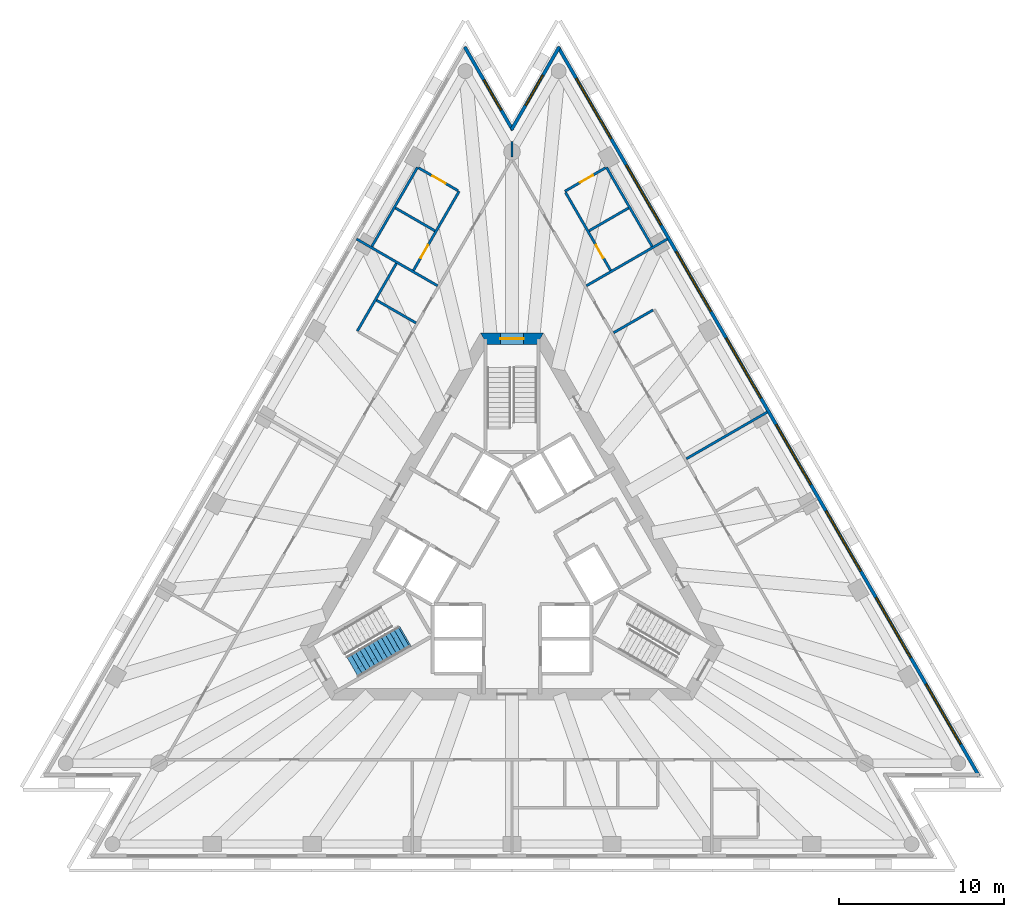
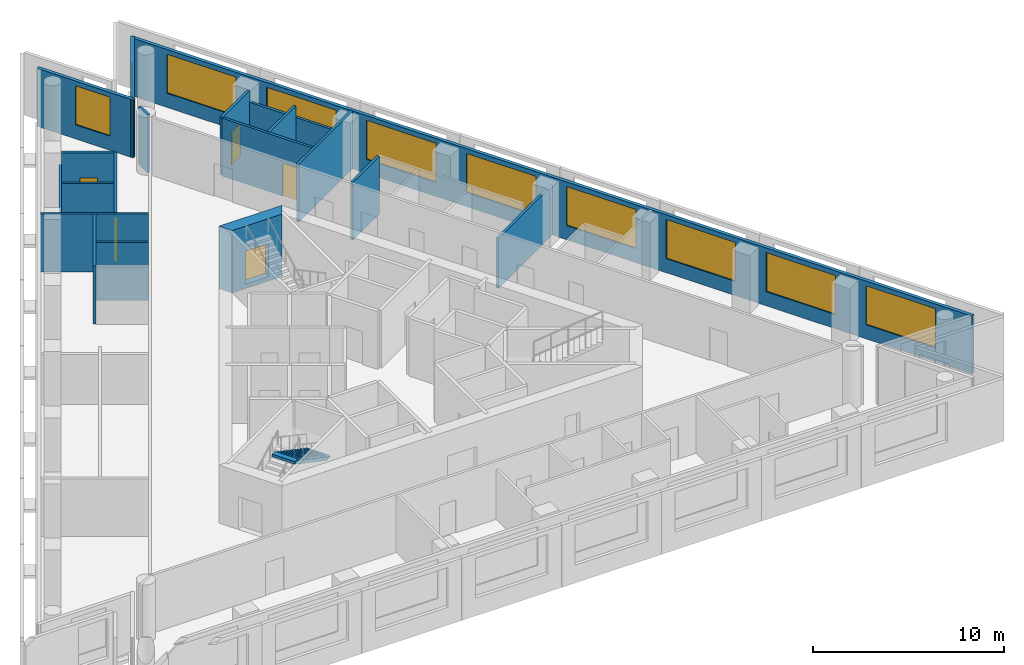
# One storey, part 6 of 9: 19 walls, 10 windows, 5 doors, 1 stair flight, 15 openings, 1 element without a shape of its own.
"""IFC4 building model written with IfcOpenShell, lengths in metres."""

from ifc_helpers import new_model, si_unit, direction, frame, frame_2d, origin, place, context, subcontext, project, spatial, polyline, rectangle, outline, extrude, material, layer, layer_set, layer_usage, type_object, element, fill, aggregate, save


model = new_model("IFC4")

# Units and contexts
model_context = context("Model", 3, precision=1e-05, world=origin(), true_north=direction((0.0, 1.0)))
body_context = subcontext(model_context, "Body", "Model", "MODEL_VIEW")
ifc_project = project(units=[si_unit("LENGTHUNIT", "METRE"), si_unit("AREAUNIT", "SQUARE_METRE"), si_unit("VOLUMEUNIT", "CUBIC_METRE"), si_unit("PLANEANGLEUNIT", "RADIAN"), si_unit("MASSUNIT", "GRAM", prefix="KILO")], contexts=[model_context])

# Site, building, storey
site_placement = place(None, origin())
site = spatial("IfcSite", under=ifc_project, at=site_placement, CompositionType="ELEMENT")
building_placement = place(site_placement, origin())
building = spatial("IfcBuilding", under=site, at=building_placement, Name="Triada Interchange Tower", CompositionType="ELEMENT")
storey_placement = place(building_placement, frame((0.0, 0.0, 223.300048828125)))
storey = spatial("IfcBuildingStorey", under=building, at=storey_placement, Name="L52", CompositionType="ELEMENT", Elevation=223.300048828125)

# Wall, opening, door
ifc_material_1 = material(Name="Concrete C50/60", Category="concrete")
ifc_layer_1 = layer(ifc_material_1, 0.699951171875)
ifc_layer_set_1 = layer_set([ifc_layer_1], Name="Core wall C 700")
wall_type_1 = type_object("IfcWallType", Name="Core wall C 700", PredefinedType="SHEAR", material=ifc_layer_set_1)
wall_1_placement = place(storey_placement, frame((1.702880859375, 13.35009765625, -0.300048828125), z_axis=(0.0, 0.0, 1.0), x_axis=(-1.0, 0.0, 0.0)))
wall_1 = element("IfcWall", 1, at=wall_1_placement, inside=storey, type_object=wall_type_1, Name="Core wall WC01 L52", PredefinedType="SHEAR", context=body_context, shape_type="SweptSolid", body=[
    extrude(outline(polyline([(-0.201904296875, -0.35009765625), (1.703125, -0.35009765625), (3.60791015625, -0.35009765625), (3.2041015625, 0.35009765625), (1.703125, 0.35009765625), (0.201904296875, 0.35009765625), (-0.201904296875, -0.35009765625)])), origin(), (0.0, 0.0, 1.0), 4.0),
])
opening_1_placement = place(wall_1_placement, frame((1.0029296875, 0.0, 0.300048828125)))
opening_1 = element("IfcOpeningElement", 2, at=opening_1_placement, cuts=wall_1, Name="Opening D50-39", PredefinedType="OPENING", context=body_context, shape_type="SweptSolid", body=[
    extrude(rectangle(XDim=1.39990234375, YDim=2.10009765625, at=frame_2d((0.699951171875, 1.050048828125))), frame((0.0, 0.360107421875, 0.0), z_axis=(0.0, -1.0, 0.0), x_axis=(1.0, 0.0, 0.0)), (0.0, 0.0, 1.0), 0.72021484375),
])
ifc_material_2 = material(Name="Steel S235 door leaf", Category="steel")
door_type_1 = type_object("IfcDoorType", Name="STAIR DOOR 1400 EI2 90-C5S200", OperationType="DOUBLE_DOOR_SINGLE_SWING", PredefinedType="DOOR", material=ifc_material_2)
door_1_placement = place(opening_1_placement, origin())
door_1 = element("IfcDoor", 3, at=door_1_placement, inside=storey, type_object=door_type_1, Name="Door D50-39 L52", OperationType="DOUBLE_DOOR_SINGLE_SWING", OverallHeight=2.10009765625, OverallWidth=1.39990234375, PredefinedType="DOOR", context=body_context, shape_type="SweptSolid", body=[
    extrude(rectangle(XDim=1.39990234375, YDim=2.10009765625, at=frame_2d((0.699951171875, 1.050048828125))), frame((0.0, 0.02490234375, 0.0), z_axis=(0.0, -1.0, 0.0), x_axis=(1.0, 0.0, 0.0)), (0.0, 0.0, 1.0), 0.050048828125),
])
fill(opening_1, door_1)

# Wall, openings, windows
ifc_material_3 = material(Name="Cement board")
ifc_layer_2 = layer(ifc_material_3, 0.02001953125, Name="Cement board cladding")
ifc_material_4 = material(Name="Sheathing board")
ifc_layer_3 = layer(ifc_material_4, 0.014892578125, Name="Sheathing board")
ifc_material_5 = material(Name="Mineral wool")
ifc_layer_4 = layer(ifc_material_5, 0.14990234375, Name="Mineral wool between steel studs")
ifc_material_6 = material(Name="Gypsum board")
ifc_layer_5 = layer(ifc_material_6, 0.014892578125, Name="Plasterboard lining")
ifc_layer_set_2 = layer_set([ifc_layer_2, ifc_layer_3, ifc_layer_4, ifc_layer_5], Name="External wall 200")
ifc_layer_usage = layer_usage(ifc_layer_set_2, "AXIS2", "POSITIVE", -0.10009765625)
wall_type_2 = type_object("IfcWallType", Name="External wall 200", PredefinedType="ELEMENTEDWALL", material=ifc_layer_set_2)
wall_2_placement = place(storey_placement, frame((28.242919921875, -13.097900390625, 0.0), z_axis=(0.0, 0.0, 1.0), x_axis=(-0.500001688958, 0.866024428662, 0.0)))
wall_2 = element("IfcWall", 4, at=wall_2_placement, inside=storey, type_object=wall_type_2, material=ifc_layer_usage, Name="External wall L52 NE", PredefinedType="ELEMENTEDWALL", context=body_context, shape_type="SweptSolid", body=[
    extrude(rectangle(XDim=50.909423828125, YDim=0.199951171875, at=frame_2d((25.45458984375, 0.0))), origin(), (0.0, 0.0, 1.0), 3.699951171875),
])
opening_2_placement = place(wall_2_placement, frame((2.222900390625, 0.0, 0.89990234375)))
opening_2 = element("IfcOpeningElement", 5, at=opening_2_placement, cuts=wall_2, Name="Opening WC21", PredefinedType="OPENING", context=body_context, shape_type="SweptSolid", body=[
    extrude(rectangle(XDim=4.199951171875, YDim=2.5, at=frame_2d((2.10009765625, 1.25))), frame((0.0, 0.10986328125, 0.0), z_axis=(0.0, -1.0, 0.0), x_axis=(1.0, 0.0, 0.0)), (0.0, 0.0, 1.0), 0.219970703125),
])
opening_3_placement = place(wall_2_placement, frame((8.262939453125, 0.0, 0.89990234375)))
opening_3 = element("IfcOpeningElement", 6, at=opening_3_placement, cuts=wall_2, Name="Opening WC22", PredefinedType="OPENING", context=body_context, shape_type="SweptSolid", body=[
    extrude(rectangle(XDim=4.199951171875, YDim=2.5, at=frame_2d((2.10009765625, 1.25))), frame((0.0, 0.10986328125, 0.0), z_axis=(0.0, -1.0, 0.0), x_axis=(1.0, 0.0, 0.0)), (0.0, 0.0, 1.0), 0.219970703125),
])
opening_4_placement = place(wall_2_placement, frame((14.303955078125, 0.0, 0.89990234375)))
opening_4 = element("IfcOpeningElement", 7, at=opening_4_placement, cuts=wall_2, Name="Opening WC23", PredefinedType="OPENING", context=body_context, shape_type="SweptSolid", body=[
    extrude(rectangle(XDim=4.199951171875, YDim=2.5, at=frame_2d((2.10009765625, 1.25))), frame((0.0, 0.10986328125, 0.0), z_axis=(0.0, -1.0, 0.0), x_axis=(1.0, 0.0, 0.0)), (0.0, 0.0, 1.0), 0.219970703125),
])
opening_5_placement = place(wall_2_placement, frame((20.344970703125, 0.0, 0.89990234375)))
opening_5 = element("IfcOpeningElement", 8, at=opening_5_placement, cuts=wall_2, Name="Opening WC24", PredefinedType="OPENING", context=body_context, shape_type="SweptSolid", body=[
    extrude(rectangle(XDim=4.199951171875, YDim=2.5, at=frame_2d((2.10009765625, 1.25))), frame((0.0, 0.10986328125, 0.0), z_axis=(0.0, -1.0, 0.0), x_axis=(1.0, 0.0, 0.0)), (0.0, 0.0, 1.0), 0.219970703125),
])
opening_6_placement = place(wall_2_placement, frame((26.385009765625, 0.0, 0.89990234375)))
opening_6 = element("IfcOpeningElement", 9, at=opening_6_placement, cuts=wall_2, Name="Opening WC25", PredefinedType="OPENING", context=body_context, shape_type="SweptSolid", body=[
    extrude(rectangle(XDim=4.199951171875, YDim=2.5, at=frame_2d((2.10009765625, 1.25))), frame((0.0, 0.10986328125, 0.0), z_axis=(0.0, -1.0, 0.0), x_axis=(1.0, 0.0, 0.0)), (0.0, 0.0, 1.0), 0.219970703125),
])
opening_7_placement = place(wall_2_placement, frame((32.426025390625, 0.0, 0.89990234375)))
opening_7 = element("IfcOpeningElement", 10, at=opening_7_placement, cuts=wall_2, Name="Opening WC26", PredefinedType="OPENING", context=body_context, shape_type="SweptSolid", body=[
    extrude(rectangle(XDim=4.199951171875, YDim=2.5, at=frame_2d((2.10009765625, 1.25))), frame((0.0, 0.10986328125, 0.0), z_axis=(0.0, -1.0, 0.0), x_axis=(1.0, 0.0, 0.0)), (0.0, 0.0, 1.0), 0.219970703125),
])
opening_8_placement = place(wall_2_placement, frame((38.466064453125, 0.0, 0.89990234375)))
opening_8 = element("IfcOpeningElement", 11, at=opening_8_placement, cuts=wall_2, Name="Opening WC27", PredefinedType="OPENING", context=body_context, shape_type="SweptSolid", body=[
    extrude(rectangle(XDim=4.199951171875, YDim=2.5, at=frame_2d((2.10009765625, 1.25))), frame((0.0, 0.10986328125, 0.0), z_axis=(0.0, -1.0, 0.0), x_axis=(1.0, 0.0, 0.0)), (0.0, 0.0, 1.0), 0.219970703125),
])
opening_9_placement = place(wall_2_placement, frame((44.507080078125, 0.0, 0.89990234375)))
opening_9 = element("IfcOpeningElement", 12, at=opening_9_placement, cuts=wall_2, Name="Opening WC28", PredefinedType="OPENING", context=body_context, shape_type="SweptSolid", body=[
    extrude(rectangle(XDim=4.199951171875, YDim=2.5, at=frame_2d((2.10009765625, 1.25))), frame((0.0, 0.10986328125, 0.0), z_axis=(0.0, -1.0, 0.0), x_axis=(1.0, 0.0, 0.0)), (0.0, 0.0, 1.0), 0.219970703125),
])
ifc_material_7 = material(Name="Double glazed aluminium window", Category="aluminium")
window_type_1 = type_object("IfcWindowType", Name="Ribbon window C face", PartitioningType="SINGLE_PANEL", PredefinedType="WINDOW", material=ifc_material_7)
window_1_placement = place(opening_2_placement, origin())
window_1 = element("IfcWindow", 13, at=window_1_placement, inside=storey, type_object=window_type_1, Name="Window L52 NE 1", OverallHeight=2.5, OverallWidth=4.199951171875, PartitioningType="SINGLE_PANEL", PredefinedType="WINDOW", context=body_context, shape_type="SweptSolid", body=[
    extrude(rectangle(XDim=4.199951171875, YDim=2.5, at=frame_2d((2.10009765625, 1.25))), frame((0.0, 0.030029296875, 0.0), z_axis=(0.0, -1.0, 0.0), x_axis=(1.0, 0.0, 0.0)), (0.0, 0.0, 1.0), 0.06005859375),
])
fill(opening_2, window_1)
window_2_placement = place(opening_3_placement, origin())
window_2 = element("IfcWindow", 14, at=window_2_placement, inside=storey, type_object=window_type_1, Name="Window L52 NE 2", OverallHeight=2.5, OverallWidth=4.199951171875, PartitioningType="SINGLE_PANEL", PredefinedType="WINDOW", context=body_context, shape_type="SweptSolid", body=[
    extrude(rectangle(XDim=4.199951171875, YDim=2.5, at=frame_2d((2.10009765625, 1.25))), frame((0.0, 0.030029296875, 0.0), z_axis=(0.0, -1.0, 0.0), x_axis=(1.0, 0.0, 0.0)), (0.0, 0.0, 1.0), 0.06005859375),
])
fill(opening_3, window_2)
window_3_placement = place(opening_4_placement, origin())
window_3 = element("IfcWindow", 15, at=window_3_placement, inside=storey, type_object=window_type_1, Name="Window L52 NE 3", OverallHeight=2.5, OverallWidth=4.199951171875, PartitioningType="SINGLE_PANEL", PredefinedType="WINDOW", context=body_context, shape_type="SweptSolid", body=[
    extrude(rectangle(XDim=4.199951171875, YDim=2.5, at=frame_2d((2.10009765625, 1.25))), frame((0.0, 0.030029296875, 0.0), z_axis=(0.0, -1.0, 0.0), x_axis=(1.0, 0.0, 0.0)), (0.0, 0.0, 1.0), 0.06005859375),
])
fill(opening_4, window_3)
window_4_placement = place(opening_5_placement, origin())
window_4 = element("IfcWindow", 16, at=window_4_placement, inside=storey, type_object=window_type_1, Name="Window L52 NE 4", OverallHeight=2.5, OverallWidth=4.199951171875, PartitioningType="SINGLE_PANEL", PredefinedType="WINDOW", context=body_context, shape_type="SweptSolid", body=[
    extrude(rectangle(XDim=4.199951171875, YDim=2.5, at=frame_2d((2.10009765625, 1.25))), frame((0.0, 0.030029296875, 0.0), z_axis=(0.0, -1.0, 0.0), x_axis=(1.0, 0.0, 0.0)), (0.0, 0.0, 1.0), 0.06005859375),
])
fill(opening_5, window_4)
window_5_placement = place(opening_6_placement, origin())
window_5 = element("IfcWindow", 17, at=window_5_placement, inside=storey, type_object=window_type_1, Name="Window L52 NE 5", OverallHeight=2.5, OverallWidth=4.199951171875, PartitioningType="SINGLE_PANEL", PredefinedType="WINDOW", context=body_context, shape_type="SweptSolid", body=[
    extrude(rectangle(XDim=4.199951171875, YDim=2.5, at=frame_2d((2.10009765625, 1.25))), frame((0.0, 0.030029296875, 0.0), z_axis=(0.0, -1.0, 0.0), x_axis=(1.0, 0.0, 0.0)), (0.0, 0.0, 1.0), 0.06005859375),
])
fill(opening_6, window_5)
window_6_placement = place(opening_7_placement, origin())
window_6 = element("IfcWindow", 18, at=window_6_placement, inside=storey, type_object=window_type_1, Name="Window L52 NE 6", OverallHeight=2.5, OverallWidth=4.199951171875, PartitioningType="SINGLE_PANEL", PredefinedType="WINDOW", context=body_context, shape_type="SweptSolid", body=[
    extrude(rectangle(XDim=4.199951171875, YDim=2.5, at=frame_2d((2.10009765625, 1.25))), frame((0.0, 0.030029296875, 0.0), z_axis=(0.0, -1.0, 0.0), x_axis=(1.0, 0.0, 0.0)), (0.0, 0.0, 1.0), 0.06005859375),
])
fill(opening_7, window_6)
window_7_placement = place(opening_8_placement, origin())
window_7 = element("IfcWindow", 19, at=window_7_placement, inside=storey, type_object=window_type_1, Name="Window L52 NE 7", OverallHeight=2.5, OverallWidth=4.199951171875, PartitioningType="SINGLE_PANEL", PredefinedType="WINDOW", context=body_context, shape_type="SweptSolid", body=[
    extrude(rectangle(XDim=4.199951171875, YDim=2.5, at=frame_2d((2.10009765625, 1.25))), frame((0.0, 0.030029296875, 0.0), z_axis=(0.0, -1.0, 0.0), x_axis=(1.0, 0.0, 0.0)), (0.0, 0.0, 1.0), 0.06005859375),
])
fill(opening_8, window_7)
window_8_placement = place(opening_9_placement, origin())
window_8 = element("IfcWindow", 20, at=window_8_placement, inside=storey, type_object=window_type_1, Name="Window L52 NE 8", OverallHeight=2.5, OverallWidth=4.199951171875, PartitioningType="SINGLE_PANEL", PredefinedType="WINDOW", context=body_context, shape_type="SweptSolid", body=[
    extrude(rectangle(XDim=4.199951171875, YDim=2.5, at=frame_2d((2.10009765625, 1.25))), frame((0.0, 0.030029296875, 0.0), z_axis=(0.0, -1.0, 0.0), x_axis=(1.0, 0.0, 0.0)), (0.0, 0.0, 1.0), 0.06005859375),
])
fill(opening_9, window_8)

# Wall, opening, window
wall_3_placement = place(storey_placement, frame((2.867919921875, 31.008056640625, 0.0), z_axis=(0.0, 0.0, 1.0), x_axis=(-0.499983322773, -0.866035032172, 0.0)))
wall_3 = element("IfcWall", 21, at=wall_3_placement, inside=storey, type_object=wall_type_2, material=ifc_layer_usage, Name="External wall L52 N-1", PredefinedType="ELEMENTEDWALL", context=body_context, shape_type="SweptSolid", body=[
    extrude(rectangle(XDim=5.805908203125, YDim=0.199951171875, at=frame_2d((2.90283203125, 0.0))), origin(), (0.0, 0.0, 1.0), 3.699951171875),
])
opening_10_placement = place(wall_3_placement, frame((1.989990234375, 0.0, 0.89990234375)))
opening_10 = element("IfcOpeningElement", 22, at=opening_10_placement, cuts=wall_3, Name="Opening WC29", PredefinedType="OPENING", context=body_context, shape_type="SweptSolid", body=[
    extrude(rectangle(XDim=2.10009765625, YDim=2.5, at=frame_2d((1.050048828125, 1.25))), frame((0.0, 0.10986328125, 0.0), z_axis=(0.0, -1.0, 0.0), x_axis=(1.0, 0.0, 0.0)), (0.0, 0.0, 1.0), 0.219970703125),
])
window_type_2 = type_object("IfcWindowType", Name="Ribbon window C pocket", PartitioningType="SINGLE_PANEL", PredefinedType="WINDOW", material=ifc_material_7)
window_9_placement = place(opening_10_placement, origin())
window_9 = element("IfcWindow", 23, at=window_9_placement, inside=storey, type_object=window_type_2, Name="Window L52 N-1 1", OverallHeight=2.5, OverallWidth=2.10009765625, PartitioningType="SINGLE_PANEL", PredefinedType="WINDOW", context=body_context, shape_type="SweptSolid", body=[
    extrude(rectangle(XDim=2.10009765625, YDim=2.5, at=frame_2d((1.050048828125, 1.25))), frame((0.0, 0.030029296875, 0.0), z_axis=(0.0, -1.0, 0.0), x_axis=(1.0, 0.0, 0.0)), (0.0, 0.0, 1.0), 0.06005859375),
])
fill(opening_10, window_9)

wall_4_placement = place(storey_placement, frame((0.044921875, 25.962890625, 0.0), z_axis=(0.0, 0.0, 1.0), x_axis=(-0.499983322773, 0.866035032172, 0.0)))
wall_4 = element("IfcWall", 24, at=wall_4_placement, inside=storey, type_object=wall_type_2, material=ifc_layer_usage, Name="External wall L52 N-2", PredefinedType="ELEMENTEDWALL", context=body_context, shape_type="SweptSolid", body=[
    extrude(rectangle(XDim=5.805908203125, YDim=0.199951171875, at=frame_2d((2.90283203125, 0.0))), origin(), (0.0, 0.0, 1.0), 3.699951171875),
])
opening_11_placement = place(wall_4_placement, frame((1.389892578125, 0.0, 0.89990234375)))
opening_11 = element("IfcOpeningElement", 25, at=opening_11_placement, cuts=wall_4, Name="Opening WC30", PredefinedType="OPENING", context=body_context, shape_type="SweptSolid", body=[
    extrude(rectangle(XDim=2.10009765625, YDim=2.5, at=frame_2d((1.050048828125, 1.25))), frame((0.0, 0.10986328125, 0.0), z_axis=(0.0, -1.0, 0.0), x_axis=(1.0, 0.0, 0.0)), (0.0, 0.0, 1.0), 0.219970703125),
])
window_10_placement = place(opening_11_placement, origin())
window_10 = element("IfcWindow", 26, at=window_10_placement, inside=storey, type_object=window_type_2, Name="Window L52 N-2 1", OverallHeight=2.5, OverallWidth=2.10009765625, PartitioningType="SINGLE_PANEL", PredefinedType="WINDOW", context=body_context, shape_type="SweptSolid", body=[
    extrude(rectangle(XDim=2.10009765625, YDim=2.5, at=frame_2d((1.050048828125, 1.25))), frame((0.0, 0.030029296875, 0.0), z_axis=(0.0, -1.0, 0.0), x_axis=(1.0, 0.0, 0.0)), (0.0, 0.0, 1.0), 0.06005859375),
])
fill(opening_11, window_10)

# Walls
ifc_material_8 = material(Name="Gypsum board partition")
ifc_layer_6 = layer(ifc_material_8, 0.14990234375)
ifc_layer_set_3 = layer_set([ifc_layer_6], Name="PARTITION 150 EI 180")
wall_type_3 = type_object("IfcWallType", Name="PARTITION 150 EI 180", PredefinedType="PARTITIONING", material=ifc_layer_set_3)
wall_5_placement = place(storey_placement, frame((10.5439453125, 6.0869140625, 0.0), z_axis=(0.0, 0.0, 1.0), x_axis=(0.865959810878, 0.500113593041, 0.0)))
element("IfcWall", 27, at=wall_5_placement, inside=storey, type_object=wall_type_3, Name="Wall L50 2", PredefinedType="PARTITIONING", context=body_context, shape_type="SweptSolid", body=[
    extrude(rectangle(XDim=5.655029296875, YDim=0.14990234375, at=frame_2d((2.82763671875, 0.0))), origin(), (0.0, 0.0, 1.0), 3.199951171875),
])
wall_6_placement = place(storey_placement, frame((-9.40087890625, 19.3779296875, 0.0), z_axis=(0.0, 0.0, 1.0), x_axis=(0.866021685936, -0.500006439447, 0.0)))
element("IfcWall", 28, at=wall_6_placement, inside=storey, type_object=wall_type_3, Name="Wall L50 8", PredefinedType="PARTITIONING", context=body_context, shape_type="SweptSolid", body=[
    extrude(rectangle(XDim=5.65576171875, YDim=0.14990234375, at=frame_2d((2.827880859375, 0.0))), origin(), (0.0, 0.0, 1.0), 3.699951171875),
])
wall_7_placement = place(storey_placement, frame((-9.35400390625, 13.80810546875, 0.0), z_axis=(0.0, 0.0, 1.0), x_axis=(0.499946109042, 0.866056515508, 0.0)))
element("IfcWall", 29, at=wall_7_placement, inside=storey, type_object=wall_type_3, Name="Wall L50 9", PredefinedType="PARTITIONING", context=body_context, shape_type="SweptSolid", body=[
    extrude(rectangle(XDim=4.724609375, YDim=0.14990234375, at=frame_2d((2.3623046875, 0.0))), origin(), (0.0, 0.0, 1.0), 3.699951171875),
])
wall_8_placement = place(storey_placement, frame((-8.18896484375, 15.676025390625, 0.0), z_axis=(0.0, 0.0, 1.0), x_axis=(0.866119184418, -0.499837531988, 0.0)))
element("IfcWall", 30, at=wall_8_placement, inside=storey, type_object=wall_type_3, Name="Wall L50 11", PredefinedType="PARTITIONING", context=body_context, shape_type="SweptSolid", body=[
    extrude(rectangle(XDim=2.7548828125, YDim=0.14990234375, at=frame_2d((1.37744140625, 0.0))), origin(), (0.0, 0.0, 1.0), 3.699951171875),
])
wall_9_placement = place(storey_placement, frame((0.0, 24.35009765625, 0.0), z_axis=(0.0, 0.0, 1.0), x_axis=(0.0, 1.0, 0.0)))
element("IfcWall", 31, at=wall_9_placement, inside=storey, type_object=wall_type_3, Name="Wall L50 14", PredefinedType="PARTITIONING", context=body_context, shape_type="SweptSolid", body=[
    extrude(rectangle(XDim=0.910888671875, YDim=0.14990234375, at=frame_2d((0.45556640625, 0.0))), origin(), (0.0, 0.0, 1.0), 3.699951171875),
])
wall_10_placement = place(storey_placement, frame((4.5029296875, 16.550048828125, 0.0), z_axis=(0.0, 0.0, 1.0), x_axis=(0.866021685936, 0.500006439447, 0.0)))
element("IfcWall", 32, at=wall_10_placement, inside=storey, type_object=wall_type_3, Name="Wall L50 18", PredefinedType="PARTITIONING", context=body_context, shape_type="SweptSolid", body=[
    extrude(rectangle(XDim=5.65576171875, YDim=0.14990234375, at=frame_2d((2.827880859375, 0.0))), origin(), (0.0, 0.0, 1.0), 3.699951171875),
])
wall_11_placement = place(storey_placement, frame((6.14404296875, 13.708984375, 0.0), z_axis=(0.0, 0.0, 1.0), x_axis=(0.866119184418, 0.499837531988, 0.0)))
element("IfcWall", 33, at=wall_11_placement, inside=storey, type_object=wall_type_3, Name="Wall L50 21", PredefinedType="PARTITIONING", context=body_context, shape_type="SweptSolid", body=[
    extrude(rectangle(XDim=2.7548828125, YDim=0.14990234375, at=frame_2d((1.37744140625, 0.0))), origin(), (0.0, 0.0, 1.0), 3.699951171875),
])
ifc_layer_7 = layer(ifc_material_8, 0.14990234375)
ifc_layer_set_4 = layer_set([ifc_layer_7], Name="PARTITION 150 EI 90")
wall_type_4 = type_object("IfcWallType", Name="PARTITION 150 EI 90", PredefinedType="PARTITIONING", material=ifc_layer_set_4)
wall_12_placement = place(storey_placement, frame((-8.47509765625, 18.929931640625, 0.0), z_axis=(0.0, 0.0, 1.0), x_axis=(0.499931554694, 0.866064917094, 0.0)))
element("IfcWall", 34, at=wall_12_placement, inside=storey, type_object=wall_type_4, Name="Wall L50 30", PredefinedType="PARTITIONING", context=body_context, shape_type="SweptSolid", body=[
    extrude(rectangle(XDim=5.525146484375, YDim=0.14990234375, at=frame_2d((2.7626953125, 0.0))), origin(), (0.0, 0.0, 1.0), 2.949951171875),
])

# Wall, opening, door
wall_13_placement = place(storey_placement, frame((-5.9599609375, 17.47802734375, 0.0), z_axis=(0.0, 0.0, 1.0), x_axis=(0.500050108258, 0.865996471835, 0.0)))
wall_13 = element("IfcWall", 35, at=wall_13_placement, inside=storey, type_object=wall_type_4, Name="Wall L50 31", PredefinedType="PARTITIONING", context=body_context, shape_type="SweptSolid", body=[
    extrude(rectangle(XDim=5.525390625, YDim=0.14990234375, at=frame_2d((2.7626953125, 0.0))), origin(), (0.0, 0.0, 1.0), 3.699951171875),
])
opening_12_placement = place(wall_13_placement, frame((0.875, 0.0, 0.0)))
opening_12 = element("IfcOpeningElement", 36, at=opening_12_placement, cuts=wall_13, Name="Opening D50-30", PredefinedType="OPENING", context=body_context, shape_type="SweptSolid", body=[
    extrude(rectangle(XDim=0.89990234375, YDim=2.10009765625, at=frame_2d((0.449951171875, 1.050048828125))), frame((0.0, 0.0849609375, 0.0), z_axis=(0.0, -1.0, 0.0), x_axis=(1.0, 0.0, 0.0)), (0.0, 0.0, 1.0), 0.169921875),
])
door_type_2 = type_object("IfcDoorType", Name="ROOM DOOR 900 EI2 45-C5S200", OperationType="NOTDEFINED", PredefinedType="DOOR", material=ifc_material_2)
door_2_placement = place(opening_12_placement, origin())
door_2 = element("IfcDoor", 37, at=door_2_placement, inside=storey, type_object=door_type_2, Name="Door D50-30 L52", OperationType="SINGLE_SWING_LEFT", OverallHeight=2.10009765625, OverallWidth=0.89990234375, PredefinedType="DOOR", context=body_context, shape_type="SweptSolid", body=[
    extrude(rectangle(XDim=0.89990234375, YDim=2.10009765625, at=frame_2d((0.449951171875, 1.050048828125))), frame((0.0, 0.02490234375, 0.0), z_axis=(0.0, -1.0, 0.0), x_axis=(1.0, 0.0, 0.0)), (0.0, 0.0, 1.0), 0.050048828125),
])
fill(opening_12, door_2)

wall_14_placement = place(storey_placement, frame((-5.64794921875, 23.677978515625, 0.0), z_axis=(0.0, 0.0, 1.0), x_axis=(0.865965703354, -0.500103389924, 0.0)))
wall_14 = element("IfcWall", 38, at=wall_14_placement, inside=storey, type_object=wall_type_4, Name="Wall L50 32", PredefinedType="PARTITIONING", context=body_context, shape_type="SweptSolid", body=[
    extrude(rectangle(XDim=2.75537109375, YDim=0.14990234375, at=frame_2d((1.377685546875, 0.0))), origin(), (0.0, 0.0, 1.0), 3.699951171875),
])
opening_13_placement = place(wall_14_placement, frame((0.97509765625, 0.0, 0.0)))
opening_13 = element("IfcOpeningElement", 39, at=opening_13_placement, cuts=wall_14, Name="Opening D50-31", PredefinedType="OPENING", context=body_context, shape_type="SweptSolid", body=[
    extrude(rectangle(XDim=0.89990234375, YDim=2.10009765625, at=frame_2d((0.449951171875, 1.050048828125))), frame((0.0, 0.0849609375, 0.0), z_axis=(0.0, -1.0, 0.0), x_axis=(1.0, 0.0, 0.0)), (0.0, 0.0, 1.0), 0.169921875),
])
door_3_placement = place(opening_13_placement, origin())
door_3 = element("IfcDoor", 40, at=door_3_placement, inside=storey, type_object=door_type_2, Name="Door D50-31 L52", OperationType="SINGLE_SWING_RIGHT", OverallHeight=2.10009765625, OverallWidth=0.89990234375, PredefinedType="DOOR", context=body_context, shape_type="SweptSolid", body=[
    extrude(rectangle(XDim=0.89990234375, YDim=2.10009765625, at=frame_2d((0.449951171875, 1.050048828125))), frame((0.0, 0.02490234375, 0.0), z_axis=(0.0, -1.0, 0.0), x_axis=(1.0, 0.0, 0.0)), (0.0, 0.0, 1.0), 0.050048828125),
])
fill(opening_13, door_3)

# Walls
for number, where, z_axis, x_axis, name in (
    (41, (-7.048095703125, 21.2529296875, 0.0), (0.0, 0.0, 1.0), (0.865965703354, -0.500103389924, 0.0), "Wall L50 33"),
    (42, (4.662109375, 19.875, 0.0), (0.0, 0.0, 1.0), (0.865965703354, 0.500103389924, 0.0), "Wall L50 34"),
):
    element("IfcWall", number, at=place(storey_placement, frame(where, z_axis=z_axis, x_axis=x_axis)), inside=storey, type_object=wall_type_4, Name=name, PredefinedType="PARTITIONING", context=body_context, shape_type="SweptSolid", body=[
        extrude(rectangle(XDim=2.75537109375, YDim=0.14990234375, at=frame_2d((1.377685546875, 0.0))), origin(), (0.0, 0.0, 1.0), 3.699951171875),
    ])
wall_15_placement = place(storey_placement, frame((5.712890625, 23.715087890625, 0.0), z_axis=(0.0, 0.0, 1.0), x_axis=(0.499931554694, -0.866064917094, 0.0)))
element("IfcWall", 43, at=wall_15_placement, inside=storey, type_object=wall_type_4, Name="Wall L50 35", PredefinedType="PARTITIONING", context=body_context, shape_type="SweptSolid", body=[
    extrude(rectangle(XDim=5.525146484375, YDim=0.14990234375, at=frame_2d((2.7626953125, 0.0))), origin(), (0.0, 0.0, 1.0), 2.949951171875),
])

# Wall, opening, door
wall_16_placement = place(storey_placement, frame((3.197021484375, 22.262939453125, 0.0), z_axis=(0.0, 0.0, 1.0), x_axis=(0.86602612668, 0.499998747907, 0.0)))
wall_16 = element("IfcWall", 44, at=wall_16_placement, inside=storey, type_object=wall_type_4, Name="Wall L50 36", PredefinedType="PARTITIONING", context=body_context, shape_type="SweptSolid", body=[
    extrude(rectangle(XDim=2.830078125, YDim=0.14990234375, at=frame_2d((1.4150390625, 0.0))), origin(), (0.0, 0.0, 1.0), 3.699951171875),
])
opening_14_placement = place(wall_16_placement, frame((1.050048828125, 0.0, 0.0)))
opening_14 = element("IfcOpeningElement", 45, at=opening_14_placement, cuts=wall_16, Name="Opening D50-28", PredefinedType="OPENING", context=body_context, shape_type="SweptSolid", body=[
    extrude(rectangle(XDim=0.89990234375, YDim=2.10009765625, at=frame_2d((0.449951171875, 1.050048828125))), frame((0.0, 0.0849609375, 0.0), z_axis=(0.0, -1.0, 0.0), x_axis=(1.0, 0.0, 0.0)), (0.0, 0.0, 1.0), 0.169921875),
])
door_4_placement = place(opening_14_placement, origin())
door_4 = element("IfcDoor", 46, at=door_4_placement, inside=storey, type_object=door_type_2, Name="Door D50-28 L52", OperationType="SINGLE_SWING_LEFT", OverallHeight=2.10009765625, OverallWidth=0.89990234375, PredefinedType="DOOR", context=body_context, shape_type="SweptSolid", body=[
    extrude(rectangle(XDim=0.89990234375, YDim=2.10009765625, at=frame_2d((0.449951171875, 1.050048828125))), frame((0.0, 0.02490234375, 0.0), z_axis=(0.0, -1.0, 0.0), x_axis=(1.0, 0.0, 0.0)), (0.0, 0.0, 1.0), 0.050048828125),
])
fill(opening_14, door_4)

wall_17_placement = place(storey_placement, frame((3.235107421875, 22.197998046875, 0.0), z_axis=(0.0, 0.0, 1.0), x_axis=(0.49996933381, -0.866043108194, 0.0)))
wall_17 = element("IfcWall", 47, at=wall_17_placement, inside=storey, type_object=wall_type_4, Name="Wall L50 37", PredefinedType="PARTITIONING", context=body_context, shape_type="SweptSolid", body=[
    extrude(rectangle(XDim=5.449951171875, YDim=0.14990234375, at=frame_2d((2.72509765625, 0.0))), origin(), (0.0, 0.0, 1.0), 3.699951171875),
])
opening_15_placement = place(wall_17_placement, frame((3.675048828125, 0.0, 0.0)))
opening_15 = element("IfcOpeningElement", 48, at=opening_15_placement, cuts=wall_17, Name="Opening D50-27", PredefinedType="OPENING", context=body_context, shape_type="SweptSolid", body=[
    extrude(rectangle(XDim=0.89990234375, YDim=2.10009765625, at=frame_2d((0.449951171875, 1.050048828125))), frame((0.0, 0.0849609375, 0.0), z_axis=(0.0, -1.0, 0.0), x_axis=(1.0, 0.0, 0.0)), (0.0, 0.0, 1.0), 0.169921875),
])
door_5_placement = place(opening_15_placement, origin())
door_5 = element("IfcDoor", 49, at=door_5_placement, inside=storey, type_object=door_type_2, Name="Door D50-27 L52", OperationType="SINGLE_SWING_RIGHT", OverallHeight=2.10009765625, OverallWidth=0.89990234375, PredefinedType="DOOR", context=body_context, shape_type="SweptSolid", body=[
    extrude(rectangle(XDim=0.89990234375, YDim=2.10009765625, at=frame_2d((0.449951171875, 1.050048828125))), frame((0.0, 0.02490234375, 0.0), z_axis=(0.0, -1.0, 0.0), x_axis=(1.0, 0.0, 0.0)), (0.0, 0.0, 1.0), 0.050048828125),
])
fill(opening_15, door_5)

# Stair, stair flight
ifc_material_9 = material(Name="Concrete C35/45", Category="concrete")
stair_type = type_object("IfcStairType", Name="HALF TURN STAIR 1400", PredefinedType="HALF_TURN_STAIR", material=ifc_material_9)
stair_placement = place(storey_placement, origin())
stair = element("IfcStair", 50, at=stair_placement, inside=storey, type_object=stair_type, Name="Exit stair S50-2", PredefinedType="HALF_TURN_STAIR")
stair_flight_type = type_object("IfcStairFlightType", Name="STRAIGHT STAIR FLIGHT 1400", PredefinedType="STRAIGHT", material=ifc_material_9)
stair_flight_placement = place(storey_placement, frame((-6.528076171875, -4.693115234375, 1.919921875), z_axis=(0.0, 0.0, 1.0), x_axis=(-0.866025403784, -0.5, 0.0)))
stair_flight = element("IfcStairFlight", 51, at=stair_flight_placement, type_object=stair_flight_type, Name="S50-2 flight 2", NumberOfRisers=13, NumberOfTreads=12, PredefinedType="STRAIGHT", RiserHeight=0.16, TreadLength=0.3, context=body_context, shape_type="SweptSolid", body=[
    extrude(outline(polyline([(-0.10009765625, 0.0), (-0.10009765625, 0.02001953125), (0.0, 0.02001953125), (0.0, 0.159912109375), (0.300048828125, 0.159912109375), (0.300048828125, 0.320068359375), (0.60009765625, 0.320068359375), (0.60009765625, 0.47998046875), (0.89990234375, 0.47998046875), (0.89990234375, 0.639892578125), (1.199951171875, 0.639892578125), (1.199951171875, 0.800048828125), (1.5, 0.800048828125), (1.5, 0.9599609375), (1.800048828125, 0.9599609375), (1.800048828125, 1.1201171875), (2.10009765625, 1.1201171875), (2.10009765625, 1.280029296875), (2.39990234375, 1.280029296875), (2.39990234375, 1.43994140625), (2.699951171875, 1.43994140625), (2.699951171875, 1.60009765625), (3.0, 1.60009765625), (3.0, 1.760009765625), (3.300048828125, 1.760009765625), (3.300048828125, 1.919921875), (3.60009765625, 1.919921875), (3.60400390625, 1.919921875), (3.60400390625, 2.080078125), (3.60400390625, 1.75), (0.318603515625, 0.0), (-0.10009765625, 0.0)])), frame((0.0, 0.699951171875, 0.0), z_axis=(0.0, -1.0, 0.0), x_axis=(1.0, 0.0, 0.0)), (0.0, 0.0, 1.0), 0.46533203125),
    extrude(outline(polyline([(-0.10009765625, 0.0), (-0.10009765625, 0.02001953125), (0.0, 0.02001953125), (0.0, 0.159912109375), (0.300048828125, 0.159912109375), (0.300048828125, 0.320068359375), (0.60009765625, 0.320068359375), (0.60009765625, 0.47998046875), (0.89990234375, 0.47998046875), (0.89990234375, 0.639892578125), (1.199951171875, 0.639892578125), (1.199951171875, 0.800048828125), (1.5, 0.800048828125), (1.5, 0.9599609375), (1.800048828125, 0.9599609375), (1.800048828125, 1.1201171875), (2.10009765625, 1.1201171875), (2.10009765625, 1.280029296875), (2.39990234375, 1.280029296875), (2.39990234375, 1.43994140625), (2.699951171875, 1.43994140625), (2.699951171875, 1.60009765625), (3.0, 1.60009765625), (3.0, 1.760009765625), (3.300048828125, 1.760009765625), (3.300048828125, 1.919921875), (3.60009765625, 1.919921875), (3.60400390625, 1.919921875), (3.60400390625, 2.080078125), (3.60400390625, 1.75), (0.318603515625, 0.0), (-0.10009765625, 0.0)])), frame((0.0, 0.232666015625, 0.0), z_axis=(0.0, -1.0, 0.0), x_axis=(1.0, 0.0, 0.0)), (0.0, 0.0, 1.0), 0.46533203125),
    extrude(outline(polyline([(-0.10009765625, 0.0), (-0.10009765625, 0.02001953125), (0.0, 0.02001953125), (0.0, 0.159912109375), (0.300048828125, 0.159912109375), (0.300048828125, 0.320068359375), (0.60009765625, 0.320068359375), (0.60009765625, 0.47998046875), (0.89990234375, 0.47998046875), (0.89990234375, 0.639892578125), (1.199951171875, 0.639892578125), (1.199951171875, 0.800048828125), (1.5, 0.800048828125), (1.5, 0.9599609375), (1.800048828125, 0.9599609375), (1.800048828125, 1.1201171875), (2.10009765625, 1.1201171875), (2.10009765625, 1.280029296875), (2.39990234375, 1.280029296875), (2.39990234375, 1.43994140625), (2.699951171875, 1.43994140625), (2.699951171875, 1.60009765625), (3.0, 1.60009765625), (3.0, 1.760009765625), (3.300048828125, 1.760009765625), (3.300048828125, 1.919921875), (3.60009765625, 1.919921875), (3.60400390625, 1.919921875), (3.60400390625, 2.080078125), (3.60400390625, 1.75), (0.318603515625, 0.0), (-0.10009765625, 0.0)])), frame((0.0, -0.234619140625, 0.0), z_axis=(0.0, -1.0, 0.0), x_axis=(1.0, 0.0, 0.0)), (0.0, 0.0, 1.0), 0.46533203125),
])
aggregate(stair, [stair_flight])

save(model, "model.ifc")
